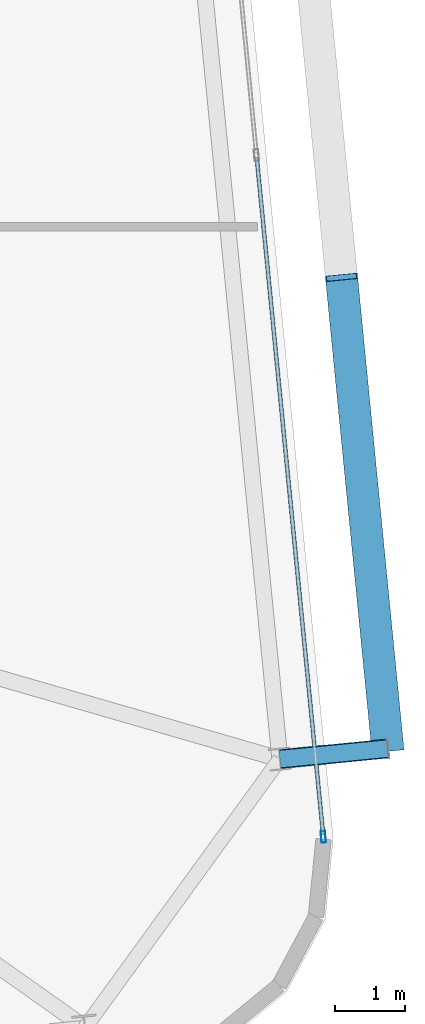
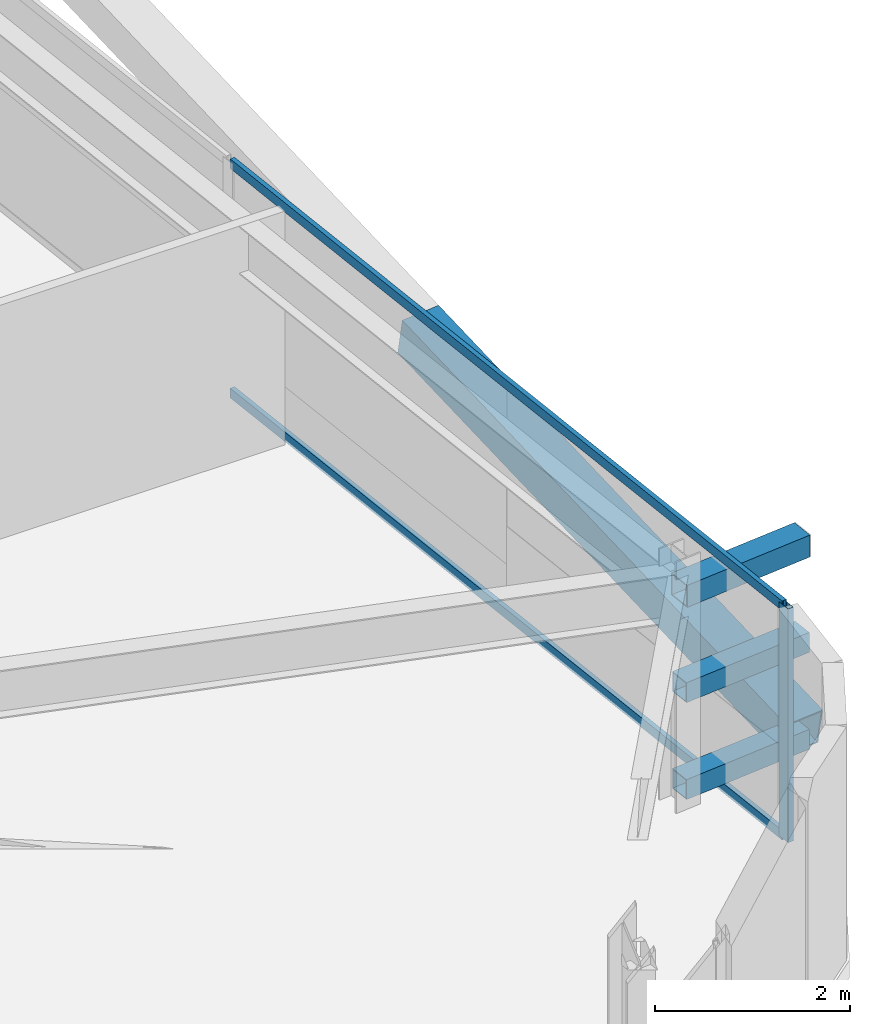
# One storey, part 19 of 47: 7 members, 1 element without a shape of its own.
"""IFC4 building model written with IfcOpenShell, lengths in metres."""

from ifc_helpers import new_model, si_unit, direction, frame, origin, origin_2d, place, context, subcontext, project, spatial, hollow_rectangle, extrude, source, transform, mapped, material, layer, layer_set, material_profile, profile_set, type_object, element, aggregate, save


model = new_model("IFC4")

# Units and contexts
model_context = context("Model", 3, precision=1e-05, world=origin(), true_north=direction((0.0, 1.0)))
body_context = subcontext(model_context, "Body", "Model", "MODEL_VIEW")
ifc_project = project(units=[si_unit("LENGTHUNIT", "METRE"), si_unit("AREAUNIT", "SQUARE_METRE"), si_unit("VOLUMEUNIT", "CUBIC_METRE"), si_unit("PLANEANGLEUNIT", "RADIAN"), si_unit("MASSUNIT", "GRAM", prefix="KILO")], contexts=[model_context])

# Site, building, storey
site_placement = place(None, origin())
site = spatial("IfcSite", under=ifc_project, at=site_placement, CompositionType="ELEMENT")
building_placement = place(site_placement, origin())
building = spatial("IfcBuilding", under=site, at=building_placement, Name="Taldren Reach Tower", CompositionType="ELEMENT")
storey_placement = place(building_placement, frame((0.0, 0.0, 87.14990234375)))
storey = spatial("IfcBuildingStorey", under=building, at=storey_placement, Name="L26", CompositionType="ELEMENT", Elevation=87.14990234375)

# Members
ifc_material_1 = material(Name="Steel Gr 450 (C450L0)", Category="steel")
ifc_material_profile_1 = material_profile(ifc_material_1, hollow_rectangle(XDim=0.27490234375, YDim=0.27490234375, WallThickness=0.00927734375, at=origin_2d()), Name="275x275x9.3SHS")
ifc_profile_set_1 = profile_set([ifc_material_profile_1], Name="Steel Gr 450 (C450L0)")
member_type_1 = type_object("IfcMemberType", Name="MB-TIE273", PredefinedType="STRUT", material=ifc_profile_set_1)
shared_shape_1 = source(origin(), body_context, "Body", "SweptSolid", [
    extrude(hollow_rectangle(XDim=0.27490234375, YDim=0.27490234375, WallThickness=0.00927734375, at=origin_2d()), origin(), (0.0, 0.0, 1.0), 1.550048828125),
])
member_1_placement = place(storey_placement, frame((65.8916015625, 8.483642578125, 2.650146484375), z_axis=(0.995236318924, 0.097491894511, 0.0), x_axis=(-0.097491894511, 0.995236318924, 0.0)))
element("IfcMember", 1, at=member_1_placement, inside=storey, type_object=member_type_1, Name="Exoskeleton diaphragm tie strut B2-E1 L26", PredefinedType="STRUT", context=body_context, shape_type="MappedRepresentation", body=[
    mapped(shared_shape_1, transform((0.0, 0.0, 0.0), scale=1.0)),
])
ifc_material_2 = material(Name="Steel Gr 350 (C350L0)", Category="steel")
ifc_material_profile_2 = material_profile(ifc_material_2, hollow_rectangle(XDim=0.25, YDim=0.25, WallThickness=0.010009765625, at=origin_2d()), Name="250x250x10.0SHS")
ifc_profile_set_2 = profile_set([ifc_material_profile_2], Name="Steel Gr 350 (C350L0)")
member_type_2 = type_object("IfcMemberType", Name="MB-POST250", PredefinedType="POST", material=ifc_profile_set_2)
shared_shape_2 = source(origin(), body_context, "Body", "SweptSolid", [
    extrude(hollow_rectangle(XDim=0.25, YDim=0.25, WallThickness=0.010009765625, at=origin_2d()), origin(), (0.0, 0.0, 1.0), 1.550048828125),
])
for number, where, z_axis, x_axis, name in (
    (2, (65.8916015625, 8.483642578125, 0.22021484375), (0.995236318924, 0.097491894511, 0.0), (-0.097491894511, 0.995236318924, 0.0), "Exoskeleton base diaphragm tie strut B2-E1 L26"),
    (3, (65.8916015625, 8.483642578125, 1.43505859375), (0.995236318924, 0.097491894511, 0.0), (-0.097491894511, 0.995236318924, 0.0), "Exoskeleton mid-tier diaphragm tie B2-E1 L26"),
):
    element("IfcMember", number, at=place(storey_placement, frame(where, z_axis=z_axis, x_axis=x_axis)), inside=storey, type_object=member_type_2, Name=name, PredefinedType="POST", context=body_context, shape_type="MappedRepresentation", body=[
        mapped(shared_shape_2, transform((0.0, 0.0, 0.0), scale=1.0)),
    ])
ifc_material_profile_3 = material_profile(ifc_material_1, hollow_rectangle(XDim=0.4599609375, YDim=0.4599609375, WallThickness=0.01611328125, at=origin_2d()), Name="460x460x16.0SHS")
ifc_profile_set_3 = profile_set([ifc_material_profile_3], Name="Steel Gr 450 (C450L0)")
member_type_3 = type_object("IfcMemberType", Name="MB-EXO457", PredefinedType="BRACE", material=ifc_profile_set_3)
shared_shape_3 = source(origin(), body_context, "Body", "SweptSolid", [
    extrude(hollow_rectangle(XDim=0.4599609375, YDim=0.4599609375, WallThickness=0.01611328125, at=origin_2d()), origin(), (0.0, 0.0, 1.0), 6.883056640625),
])
member_2_placement = place(storey_placement, frame((67.434326171875, 8.634765625, 0.22021484375), z_axis=(-0.096052059581, 0.979603316657, 0.176497432967), x_axis=(-0.995227290009, -0.097584021339, 0.0)))
element("IfcMember", 4, at=member_2_placement, inside=storey, type_object=member_type_3, Name="Exoskeleton Diagrid Brace B2-E1 L26", PredefinedType="BRACE", context=body_context, shape_type="MappedRepresentation", body=[
    mapped(shared_shape_3, transform((0.0, 0.0, 0.0), scale=1.0)),
])

# Curtain wall, members
ifc_material_3 = material(Name="Aluminium and Low-E Glass Unitised System", Category="aluminium")
ifc_layer = layer(ifc_material_3, 0.159912109375)
ifc_layer_set = layer_set([ifc_layer], Name="Aluminium and Low-E Glass Unitised System")
curtain_wall_type = type_object("IfcCurtainWallType", Name="CW-SYS-3", PredefinedType="NOTDEFINED", material=ifc_layer_set)
curtain_wall_placement = place(storey_placement, origin())
curtain_wall = element("IfcCurtainWall", 5, at=curtain_wall_placement, inside=storey, type_object=curtain_wall_type, Name="Unitised curtain wall CW-L26-E", PredefinedType="NOTDEFINED")
ifc_material_4 = material(Name="Anodised Aluminium 6063-T6", Category="aluminium")
ifc_material_profile_4 = material_profile(ifc_material_4, hollow_rectangle(XDim=0.06494140625, YDim=0.1650390625, WallThickness=0.00390625, at=origin_2d()), Name="ALU-165x65x4RHS")
ifc_profile_set_4 = profile_set([ifc_material_profile_4], Name="Anodised Aluminium 6063-T6")
member_type_4 = type_object("IfcMemberType", Name="CW-MUL-165", PredefinedType="MULLION", material=ifc_profile_set_4)
shared_shape_4 = source(origin(), body_context, "Body", "SweptSolid", [
    extrude(hollow_rectangle(XDim=0.06494140625, YDim=0.1650390625, WallThickness=0.00390625, at=origin_2d()), origin(), (0.0, 0.0, 1.0), 2.93017578125),
])
member_3_placement = place(storey_placement, frame((66.51318359375, 7.371337890625, 0.0), z_axis=(0.0, 0.0, 1.0), x_axis=(-0.99522741555, -0.09758274098, 0.0)))
member_3 = element("IfcMember", 6, at=member_3_placement, type_object=member_type_4, Name="CW-3 mullion 1", PredefinedType="MULLION", context=body_context, shape_type="MappedRepresentation", body=[
    mapped(shared_shape_4, transform((0.0, 0.0, 0.0), scale=1.0)),
])
ifc_material_profile_5 = material_profile(ifc_material_4, hollow_rectangle(XDim=0.054931640625, YDim=0.1201171875, WallThickness=0.0029296875, at=origin_2d()), Name="ALU-120x55x3RHS")
ifc_profile_set_5 = profile_set([ifc_material_profile_5], Name="Anodised Aluminium 6063-T6")
member_type_5 = type_object("IfcMemberType", Name="CW-TRN-135", PredefinedType="USERDEFINED", material=ifc_profile_set_5)
shared_shape_5 = source(origin(), body_context, "Body", "SweptSolid", [
    extrude(hollow_rectangle(XDim=0.054931640625, YDim=0.1201171875, WallThickness=0.0029296875, at=origin_2d()), origin(), (0.0, 0.0, 1.0), 9.735595703125),
])
member_4_placement = place(storey_placement, frame((66.510009765625, 7.40380859375, 0.027587890625), z_axis=(-0.097574346172, 0.995228238631, 0.0), x_axis=(-0.995228238631, -0.097574346172, 0.0)))
member_4 = element("IfcMember", 7, at=member_4_placement, type_object=member_type_5, Name="CW-3 transom 1.1", ObjectType="TRANSOM", PredefinedType="USERDEFINED", context=body_context, shape_type="MappedRepresentation", body=[
    mapped(shared_shape_5, transform((0.0, 0.0, 0.0), scale=1.0)),
])
member_5_placement = place(storey_placement, frame((66.510009765625, 7.40380859375, 2.902587890625), z_axis=(-0.097574346172, 0.995228238631, 0.0), x_axis=(-0.995228238631, -0.097574346172, 0.0)))
member_5 = element("IfcMember", 8, at=member_5_placement, type_object=member_type_5, Name="CW-3 transom 1.2", ObjectType="TRANSOM", PredefinedType="USERDEFINED", context=body_context, shape_type="MappedRepresentation", body=[
    mapped(shared_shape_5, transform((0.0, 0.0, 0.0), scale=1.0)),
])
aggregate(curtain_wall, [member_3, member_4, member_5])

save(model, "model.ifc")
